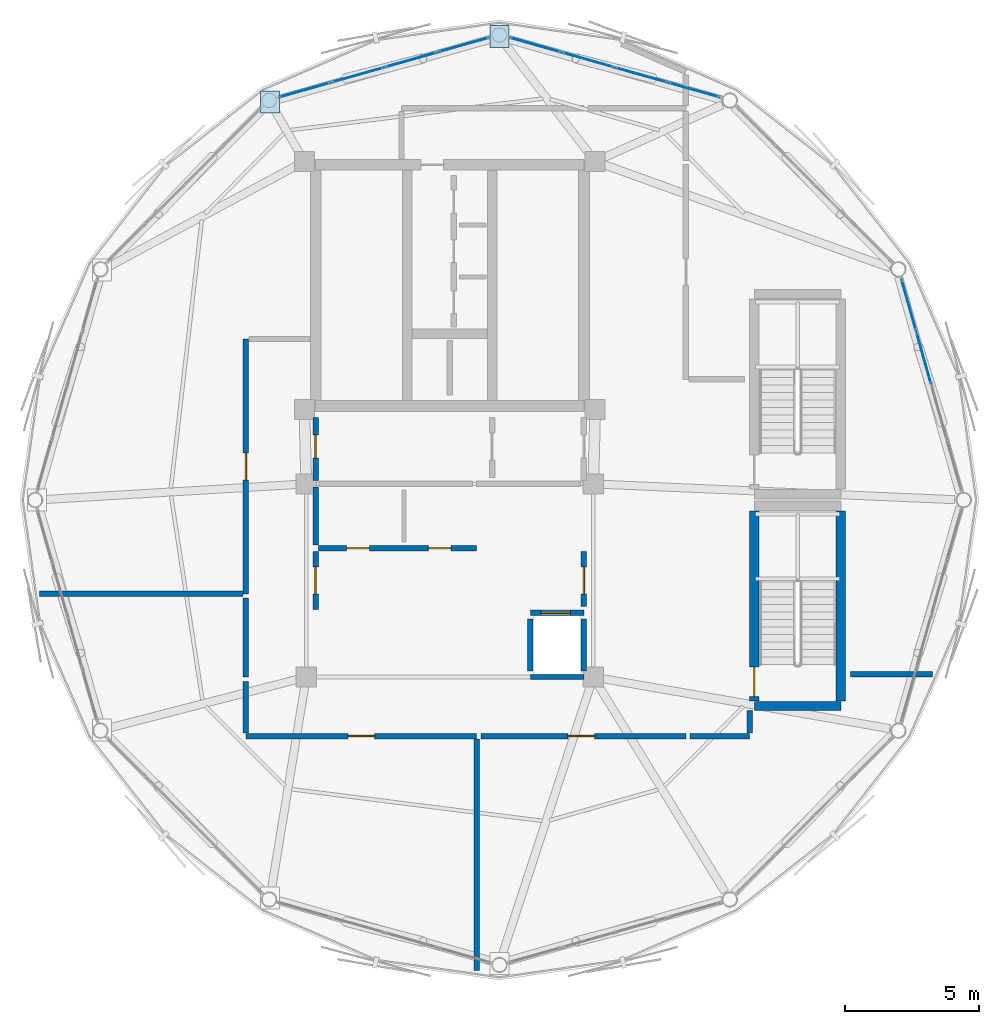
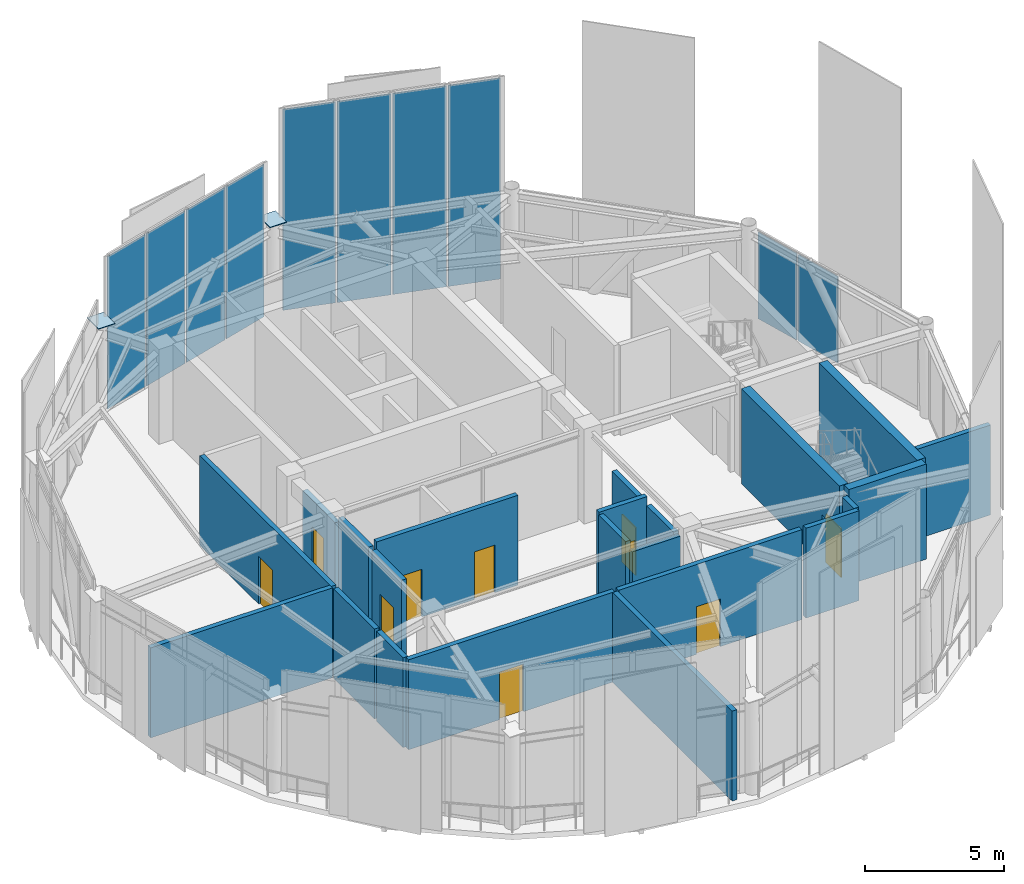
# One storey, part 15 of 20: 22 walls, 12 plates, 10 doors, 10 openings, 3 elements without a shape of their own.
"""IFC4 building model written with IfcOpenShell, lengths in metres."""

from ifc_helpers import new_model, si_unit, direction, frame, frame_2d, origin, origin_2d, place, context, subcontext, project, spatial, rectangle, extrude, source, transform, mapped, material, layer, layer_set, type_object, type_shapes, element, fill, aggregate, save


model = new_model("IFC4")

# Units and contexts
model_context = context("Model", 3, precision=1e-05, world=origin(), true_north=direction((0.0, 1.0)))
body_context = subcontext(model_context, "Body", "Model", "MODEL_VIEW")
ifc_project = project(units=[si_unit("LENGTHUNIT", "METRE"), si_unit("AREAUNIT", "SQUARE_METRE"), si_unit("VOLUMEUNIT", "CUBIC_METRE"), si_unit("PLANEANGLEUNIT", "RADIAN"), si_unit("MASSUNIT", "GRAM", prefix="KILO")], contexts=[model_context])

# Site, building, storey
site_placement = place(None, origin())
site = spatial("IfcSite", under=ifc_project, at=site_placement, CompositionType="ELEMENT")
building_placement = place(site_placement, origin())
building = spatial("IfcBuilding", under=site, at=building_placement, Name="Varnakorn Sky Granary", CompositionType="ELEMENT")
storey_placement = place(building_placement, frame((0.0, 0.0, 310.800048828125)))
storey = spatial("IfcBuildingStorey", under=building, at=storey_placement, Name="L79", CompositionType="ELEMENT", Elevation=310.800048828125)

# Plates
ifc_material_1 = material(Name="Steel S460M", Category="steel")
ifc_layer_1 = layer(ifc_material_1, 0.031982421875, Name="Steel S460M")
ifc_layer_set_1 = layer_set([ifc_layer_1], Name="Steel S460M")
plate_type_1 = type_object("IfcPlateType", Name="PL-NODE-KN8", PredefinedType="SHEET", material=ifc_layer_set_1)
for number, where, z_axis, x_axis, name in (
    (1, (4.85009765625, 17.27099609375, 4.1748046875), (0.0, 0.0, 1.0), (1.0, 0.0, 0.0), "Hollow Column Top Cap Plate KN8 L79-04"),
    (2, (-3.700439453125, 14.840087890625, 4.1748046875), (0.0, 0.0, 1.0), (1.0, 0.0, 0.0), "Hollow Column Top Cap Plate KN8 L79-05"),
):
    element("IfcPlate", number, at=place(storey_placement, frame(where, z_axis=z_axis, x_axis=x_axis)), inside=storey, type_object=plate_type_1, Name=name, PredefinedType="SHEET", context=body_context, shape_type="SweptSolid", body=[
        extrude(rectangle(XDim=0.699951171875, YDim=0.820068359375, at=origin_2d()), origin(), (0.0, 0.0, 1.0), 0.031982421875),
    ])

# Curtain wall, plates
ifc_material_2 = material(Name="Anodised Bronze Aluminium Alloy 6063-T6", Category="aluminium")
ifc_layer_2 = layer(ifc_material_2, 0.22998046875, Name="Anodised Bronze Aluminium Alloy 6063-T6")
ifc_layer_set_2 = layer_set([ifc_layer_2], Name="Anodised Bronze Aluminium Alloy 6063-T6")
curtain_wall_type = type_object("IfcCurtainWallType", Name="CW-LNT-1", PredefinedType="USERDEFINED", material=ifc_layer_set_2)
curtain_wall_1_placement = place(storey_placement, origin())
curtain_wall_1 = element("IfcCurtainWall", 3, at=curtain_wall_1_placement, inside=storey, type_object=curtain_wall_type, Name="Unitised Curtain Wall CW7 CW-L79-B01", ObjectType="CURTAIN WALL", PredefinedType="USERDEFINED")
ifc_material_3 = material(Name="Opaque Insulated Aluminium Shadow-Box Unit", Category="aluminium")
ifc_layer_3 = layer(ifc_material_3, 0.035888671875, Name="Opaque Insulated Aluminium Shadow-Box Unit")
ifc_layer_set_3 = layer_set([ifc_layer_3], Name="Opaque Insulated Aluminium Shadow-Box Unit")
plate_type_2 = type_object("IfcPlateType", Name="CW-LNT-1-PNL", PredefinedType="CURTAIN_PANEL")
shared_shape_1 = source(origin(), body_context, "Body", "SweptSolid", [
    extrude(rectangle(XDim=1.990966796875, YDim=0.035888671875, at=origin_2d()), origin(), (0.0, 0.0, 1.0), 3.81005859375),
])
plate_1_placement = place(storey_placement, frame((20.670654296875, 5.2958984375, 0.074951171875), z_axis=(0.0, 0.0, 1.0), x_axis=(0.272577181537, -0.962133920047, 0.0)))
plate_1 = element("IfcPlate", 4, at=plate_1_placement, type_object=plate_type_2, material=ifc_layer_set_3, Name="CW7 opaque insulated shadow-box unit 2.1", PredefinedType="CURTAIN_PANEL", context=body_context, shape_type="MappedRepresentation", body=[
    mapped(shared_shape_1, transform((0.0, 0.0, 0.0), x_axis=(1.0, 0.0, 0.0), y_axis=(0.0, 1.0, 0.0), z_axis=(0.0, 0.0, 1.0), scale=1.0)),
])
ifc_material_4 = material(Name="Low-E Tinted Laminated Glass", Category="glass")
ifc_layer_4 = layer(ifc_material_4, 0.035888671875, Name="Low-E Tinted Laminated Glass")
ifc_layer_set_4 = layer_set([ifc_layer_4], Name="Low-E Tinted Laminated Glass")
shared_shape_2 = source(origin(), body_context, "Body", "SweptSolid", [
    extrude(rectangle(XDim=1.953369140625, YDim=0.035888671875, at=origin_2d()), origin(), (0.0, 0.0, 1.0), 3.81005859375),
])
plate_2_placement = place(storey_placement, frame((20.11279296875, 7.265625, 0.074951171875), z_axis=(0.0, 0.0, 1.0), x_axis=(0.272577181537, -0.962133920047, 0.0)))
plate_2 = element("IfcPlate", 5, at=plate_2_placement, type_object=plate_type_2, material=ifc_layer_set_4, Name="CW7 vision glazing unit 1.1", PredefinedType="CURTAIN_PANEL", context=body_context, shape_type="MappedRepresentation", body=[
    mapped(shared_shape_2, transform((0.0, 0.0, 0.0), x_axis=(1.0, 0.0, 0.0), y_axis=(0.0, 1.0, 0.0), z_axis=(0.0, 0.0, 1.0), scale=1.0)),
])
aggregate(curtain_wall_1, [plate_2, plate_1])

curtain_wall_2_placement = place(storey_placement, origin())
curtain_wall_2 = element("IfcCurtainWall", 6, at=curtain_wall_2_placement, inside=storey, type_object=curtain_wall_type, Name="Unitised Curtain Wall CW7 CW-L79-B03", ObjectType="CURTAIN WALL", PredefinedType="USERDEFINED")
shared_shape_3 = source(origin(), body_context, "Body", "SweptSolid", [
    extrude(rectangle(XDim=1.950927734375, YDim=0.035888671875, at=origin_2d()), origin(), (0.0, 0.0, 1.0), 8.85693359375),
])
plate_3_placement = place(storey_placement, frame((6.18701171875, 16.96337890625, 0.074951171875), z_axis=(0.0, 0.0, 1.0), x_axis=(0.961955260491, -0.273207021896, 0.0)))
plate_3 = element("IfcPlate", 7, at=plate_3_placement, type_object=plate_type_2, material=ifc_layer_set_3, Name="CW7 opaque insulated shadow-box unit 1.1", PredefinedType="CURTAIN_PANEL", context=body_context, shape_type="MappedRepresentation", body=[
    mapped(shared_shape_3, transform((0.0, 0.0, 0.0), x_axis=(1.0, 0.0, 0.0), y_axis=(0.0, 1.0, 0.0), z_axis=(0.0, 0.0, 1.0), scale=1.0)),
])
plate_4_placement = place(storey_placement, frame((12.10595703125, 15.2822265625, 0.074951171875), z_axis=(0.0, 0.0, 1.0), x_axis=(0.961955260491, -0.273207021896, 0.0)))
plate_4 = element("IfcPlate", 8, at=plate_4_placement, type_object=plate_type_2, material=ifc_layer_set_4, Name="CW7 vision glazing unit 4.1", PredefinedType="CURTAIN_PANEL", context=body_context, shape_type="MappedRepresentation", body=[
    mapped(shared_shape_3, transform((0.0, 0.0, 0.0), x_axis=(1.0, 0.0, 0.0), y_axis=(0.0, 1.0, 0.0), z_axis=(0.0, 0.0, 1.0), scale=1.0)),
])
shared_shape_4 = source(origin(), body_context, "Body", "SweptSolid", [
    extrude(rectangle(XDim=1.988525390625, YDim=0.035888671875, at=origin_2d()), origin(), (0.0, 0.0, 1.0), 8.85693359375),
])
plate_5_placement = place(storey_placement, frame((8.154052734375, 16.40478515625, 0.074951171875), z_axis=(0.0, 0.0, 1.0), x_axis=(0.961955260491, -0.273207021896, 0.0)))
plate_5 = element("IfcPlate", 9, at=plate_5_placement, type_object=plate_type_2, material=ifc_layer_set_3, Name="CW7 opaque insulated shadow-box unit 2.1", PredefinedType="CURTAIN_PANEL", context=body_context, shape_type="MappedRepresentation", body=[
    mapped(shared_shape_4, transform((0.0, 0.0, 0.0), x_axis=(1.0, 0.0, 0.0), y_axis=(0.0, 1.0, 0.0), z_axis=(0.0, 0.0, 1.0), scale=1.0)),
])
plate_6_placement = place(storey_placement, frame((10.138916015625, 15.8408203125, 0.074951171875), z_axis=(0.0, 0.0, 1.0), x_axis=(0.961955260491, -0.273207021896, 0.0)))
plate_6 = element("IfcPlate", 10, at=plate_6_placement, type_object=plate_type_2, material=ifc_layer_set_3, Name="CW7 opaque insulated shadow-box unit 3.1", PredefinedType="CURTAIN_PANEL", context=body_context, shape_type="MappedRepresentation", body=[
    mapped(shared_shape_4, transform((0.0, 0.0, 0.0), x_axis=(1.0, 0.0, 0.0), y_axis=(0.0, 1.0, 0.0), z_axis=(0.0, 0.0, 1.0), scale=1.0)),
])
aggregate(curtain_wall_2, [plate_3, plate_5, plate_6, plate_4])

curtain_wall_3_placement = place(storey_placement, origin())
curtain_wall_3 = element("IfcCurtainWall", 11, at=curtain_wall_3_placement, inside=storey, type_object=curtain_wall_type, Name="Unitised Curtain Wall CW7 CW-L79-B04", ObjectType="CURTAIN WALL", PredefinedType="USERDEFINED")
shared_shape_5 = source(origin(), body_context, "Body", "SweptSolid", [
    extrude(rectangle(XDim=1.950927734375, YDim=0.035888671875, at=origin_2d()), origin(), (0.0, 0.0, 1.0), 6.71435546875),
])
plate_7_placement = place(storey_placement, frame((-2.406005859375, 15.2822265625, 0.074951171875), z_axis=(0.0, 0.0, 1.0), x_axis=(0.961955260491, 0.273207021896, 0.0)))
plate_7 = element("IfcPlate", 12, at=plate_7_placement, type_object=plate_type_2, material=ifc_layer_set_4, Name="CW7 vision glazing unit 1.1", PredefinedType="CURTAIN_PANEL", context=body_context, shape_type="MappedRepresentation", body=[
    mapped(shared_shape_5, transform((0.0, 0.0, 0.0), x_axis=(1.0, 0.0, 0.0), y_axis=(0.0, 1.0, 0.0), z_axis=(0.0, 0.0, 1.0), scale=1.0)),
])
plate_8_placement = place(storey_placement, frame((3.512939453125, 16.96337890625, 0.074951171875), z_axis=(0.0, 0.0, 1.0), x_axis=(0.961955260491, 0.273207021896, 0.0)))
plate_8 = element("IfcPlate", 13, at=plate_8_placement, type_object=plate_type_2, material=ifc_layer_set_3, Name="CW7 opaque insulated shadow-box unit 4.1", PredefinedType="CURTAIN_PANEL", context=body_context, shape_type="MappedRepresentation", body=[
    mapped(shared_shape_5, transform((0.0, 0.0, 0.0), x_axis=(1.0, 0.0, 0.0), y_axis=(0.0, 1.0, 0.0), z_axis=(0.0, 0.0, 1.0), scale=1.0)),
])
shared_shape_6 = source(origin(), body_context, "Body", "SweptSolid", [
    extrude(rectangle(XDim=1.988525390625, YDim=0.035888671875, at=origin_2d()), origin(), (0.0, 0.0, 1.0), 6.71435546875),
])
type_shapes(plate_type_2, [shared_shape_1, shared_shape_2, shared_shape_3, shared_shape_4, shared_shape_5, shared_shape_6])
plate_9_placement = place(storey_placement, frame((-0.43896484375, 15.8408203125, 0.074951171875), z_axis=(0.0, 0.0, 1.0), x_axis=(0.961955260491, 0.273207021896, 0.0)))
plate_9 = element("IfcPlate", 14, at=plate_9_placement, type_object=plate_type_2, material=ifc_layer_set_3, Name="CW7 opaque insulated shadow-box unit 2.1", PredefinedType="CURTAIN_PANEL", context=body_context, shape_type="MappedRepresentation", body=[
    mapped(shared_shape_6, transform((0.0, 0.0, 0.0), x_axis=(1.0, 0.0, 0.0), y_axis=(0.0, 1.0, 0.0), z_axis=(0.0, 0.0, 1.0), scale=1.0)),
])
plate_10_placement = place(storey_placement, frame((1.5458984375, 16.40478515625, 0.074951171875), z_axis=(0.0, 0.0, 1.0), x_axis=(0.961955260491, 0.273207021896, 0.0)))
plate_10 = element("IfcPlate", 15, at=plate_10_placement, type_object=plate_type_2, material=ifc_layer_set_3, Name="CW7 opaque insulated shadow-box unit 3.1", PredefinedType="CURTAIN_PANEL", context=body_context, shape_type="MappedRepresentation", body=[
    mapped(shared_shape_6, transform((0.0, 0.0, 0.0), x_axis=(1.0, 0.0, 0.0), y_axis=(0.0, 1.0, 0.0), z_axis=(0.0, 0.0, 1.0), scale=1.0)),
])
aggregate(curtain_wall_3, [plate_7, plate_9, plate_10, plate_8])

# Wall
ifc_material_5 = material(Name="Concrete C50/60", Category="concrete")
ifc_layer_5 = layer(ifc_material_5, 0.35009765625, Name="Concrete C50/60")
ifc_layer_set_5 = layer_set([ifc_layer_5], Name="Concrete C50/60")
wall_type_1 = type_object("IfcWallType", Name="WT-CW-INT-350", PredefinedType="SHEAR", material=ifc_layer_set_5)
wall_1_placement = place(storey_placement, frame((14.35009765625, -7.679931640625, 0.0), z_axis=(0.0, 0.0, 1.0), x_axis=(1.0, 0.0, 0.0)))
element("IfcWall", 16, at=wall_1_placement, inside=storey, type_object=wall_type_1, Name="Crown Stair STC2 South Wall L79", PredefinedType="SHEAR", context=body_context, shape_type="SweptSolid", body=[
    extrude(rectangle(XDim=3.22998046875, YDim=0.35009765625, at=frame_2d((1.614990234375, 0.0))), origin(), (0.0, 0.0, 1.0), 4.19189453125),
])

# Wall, opening, door
wall_2_placement = place(storey_placement, frame((14.35009765625, -7.489990234375, 0.0), z_axis=(0.0, 0.0, 1.0), x_axis=(0.0, 1.0, 0.0)))
wall_2 = element("IfcWall", 17, at=wall_2_placement, inside=storey, type_object=wall_type_1, Name="Crown Stair STC2 West Wall L79", PredefinedType="SHEAR", context=body_context, shape_type="SweptSolid", body=[
    extrude(rectangle(XDim=7.080078125, YDim=0.35009765625, at=frame_2d((3.5400390625, 0.0))), origin(), (0.0, 0.0, 1.0), 4.19189453125),
])
opening_1_placement = place(wall_2_placement, frame((0.159912109375, 0.0, 0.0)))
opening_1 = element("IfcOpeningElement", 18, at=opening_1_placement, cuts=wall_2, Name="Opening FD-90", PredefinedType="OPENING", context=body_context, shape_type="SweptSolid", body=[
    extrude(rectangle(XDim=1.10009765625, YDim=2.14990234375, at=frame_2d((0.550048828125, 1.074951171875))), frame((0.0, 0.18505859375, 0.0), z_axis=(0.0, -1.0, 0.0), x_axis=(1.0, 0.0, 0.0)), (0.0, 0.0, 1.0), 0.3701171875),
])
ifc_material_6 = material(Name="Galvanised Painted Steel Leaf", Category="steel")
door_type_1 = type_object("IfcDoorType", Name="DR-STAIR-1100", OperationType="NOTDEFINED", PredefinedType="DOOR", material=ifc_material_6)
door_1_placement = place(opening_1_placement, origin())
door_1 = element("IfcDoor", 19, at=door_1_placement, inside=storey, type_object=door_type_1, Name="Crown Stair STC2 Protected Fire Door L79", OperationType="SINGLE_SWING_RIGHT", OverallHeight=2.14990234375, OverallWidth=1.10009765625, PredefinedType="DOOR", context=body_context, shape_type="SweptSolid", body=[
    extrude(rectangle(XDim=1.10009765625, YDim=2.14990234375, at=frame_2d((0.550048828125, 1.074951171875))), frame((0.0, 0.02490234375, 0.0), z_axis=(0.0, -1.0, 0.0), x_axis=(1.0, 0.0, 0.0)), (0.0, 0.0, 1.0), 0.050048828125),
])
fill(opening_1, door_1)

# Wall
wall_3_placement = place(storey_placement, frame((17.580078125, -7.489990234375, 0.0), z_axis=(0.0, 0.0, 1.0), x_axis=(0.0, 1.0, 0.0)))
element("IfcWall", 20, at=wall_3_placement, inside=storey, type_object=wall_type_1, Name="Crown Stair STC2 East Wall L79", PredefinedType="SHEAR", context=body_context, shape_type="SweptSolid", body=[
    extrude(rectangle(XDim=7.080078125, YDim=0.35009765625, at=frame_2d((3.5400390625, 0.0))), origin(), (0.0, 0.0, 1.0), 4.19189453125),
])

# Wall, opening, door
ifc_material_7 = material(Name="Autoclaved Aerated Concrete Blockwork", Category="masonry")
ifc_layer_6 = layer(ifc_material_7, 0.199951171875, Name="Autoclaved Aerated Concrete Blockwork")
ifc_layer_set_6 = layer_set([ifc_layer_6], Name="Autoclaved Aerated Concrete Blockwork")
wall_type_2 = type_object("IfcWallType", Name="WT-FIRE-200", PredefinedType="MOVABLE", material=ifc_layer_set_6)
wall_4_placement = place(storey_placement, frame((-2.0, 0.719970703125, 0.0), z_axis=(0.0, 0.0, 1.0), x_axis=(0.0, 1.0, 0.0)))
wall_4 = element("IfcWall", 21, at=wall_4_placement, inside=storey, type_object=wall_type_2, Name="Interior Partition Wall L79-009", PredefinedType="MOVABLE", context=body_context, shape_type="SweptSolid", body=[
    extrude(rectangle(XDim=2.35009765625, YDim=0.199951171875, at=frame_2d((1.175048828125, 0.0))), origin(), (0.0, 0.0, 1.0), 3.2919921875),
])
opening_2_placement = place(wall_4_placement, frame((0.844970703125, 0.0, 0.0)))
opening_2 = element("IfcOpeningElement", 22, at=opening_2_placement, cuts=wall_4, Name="Opening FD-60N", PredefinedType="OPENING", context=body_context, shape_type="SweptSolid", body=[
    extrude(rectangle(XDim=0.85009765625, YDim=2.10009765625, at=frame_2d((0.425048828125, 1.050048828125))), frame((0.0, 0.10986328125, 0.0), z_axis=(0.0, -1.0, 0.0), x_axis=(1.0, 0.0, 0.0)), (0.0, 0.0, 1.0), 0.219970703125),
])
ifc_material_8 = material(Name="Acoustic Timber Fire Leaf", Category="wood")
door_type_2 = type_object("IfcDoorType", Name="DR-FD60-850", OperationType="NOTDEFINED", PredefinedType="DOOR", material=ifc_material_8)
door_2_placement = place(opening_2_placement, origin())
door_2 = element("IfcDoor", 23, at=door_2_placement, inside=storey, type_object=door_type_2, Name="Interior Door L79-009-1", OperationType="SINGLE_SWING_RIGHT", OverallHeight=2.10009765625, OverallWidth=0.85009765625, PredefinedType="DOOR", context=body_context, shape_type="SweptSolid", body=[
    extrude(rectangle(XDim=0.85009765625, YDim=2.10009765625, at=frame_2d((0.425048828125, 1.050048828125))), frame((0.0, 0.02490234375, 0.0), z_axis=(0.0, -1.0, 0.0), x_axis=(1.0, 0.0, 0.0)), (0.0, 0.0, 1.0), 0.050048828125),
])
fill(opening_2, door_2)

wall_5_placement = place(storey_placement, frame((-2.0, -4.080078125, 0.0), z_axis=(0.0, 0.0, 1.0), x_axis=(0.0, 1.0, 0.0)))
wall_5 = element("IfcWall", 24, at=wall_5_placement, inside=storey, type_object=wall_type_2, Name="Interior Partition Wall L79-011", PredefinedType="MOVABLE", context=body_context, shape_type="SweptSolid", body=[
    extrude(rectangle(XDim=2.16015625, YDim=0.199951171875, at=frame_2d((1.080078125, 0.0))), origin(), (0.0, 0.0, 1.0), 3.671875),
])
opening_3_placement = place(wall_5_placement, frame((0.580078125, 0.0, 0.0)))
opening_3 = element("IfcOpeningElement", 25, at=opening_3_placement, cuts=wall_5, Name="Opening FD-60", PredefinedType="OPENING", context=body_context, shape_type="SweptSolid", body=[
    extrude(rectangle(XDim=1.0, YDim=2.10009765625, at=frame_2d((0.5, 1.050048828125))), frame((0.0, 0.10986328125, 0.0), z_axis=(0.0, -1.0, 0.0), x_axis=(1.0, 0.0, 0.0)), (0.0, 0.0, 1.0), 0.219970703125),
])
door_type_3 = type_object("IfcDoorType", Name="DR-FD60-1000", OperationType="NOTDEFINED", PredefinedType="DOOR", material=ifc_material_8)
door_3_placement = place(opening_3_placement, origin())
door_3 = element("IfcDoor", 26, at=door_3_placement, inside=storey, type_object=door_type_3, Name="Interior Door L79-011-1", OperationType="SINGLE_SWING_RIGHT", OverallHeight=2.10009765625, OverallWidth=1.0, PredefinedType="DOOR", context=body_context, shape_type="SweptSolid", body=[
    extrude(rectangle(XDim=1.0, YDim=2.10009765625, at=frame_2d((0.5, 1.050048828125))), frame((0.0, 0.02490234375, 0.0), z_axis=(0.0, -1.0, 0.0), x_axis=(1.0, 0.0, 0.0)), (0.0, 0.0, 1.0), 0.050048828125),
])
fill(opening_3, door_3)

wall_6_placement = place(storey_placement, frame((8.0, -3.969970703125, 0.0), z_axis=(0.0, 0.0, 1.0), x_axis=(0.0, 1.0, 0.0)))
wall_6 = element("IfcWall", 27, at=wall_6_placement, inside=storey, type_object=wall_type_2, Name="Interior Partition Wall L79-012", PredefinedType="MOVABLE", context=body_context, shape_type="SweptSolid", body=[
    extrude(rectangle(XDim=2.050048828125, YDim=0.199951171875, at=frame_2d((1.02490234375, 0.0))), origin(), (0.0, 0.0, 1.0), 3.671875),
])
opening_4_placement = place(wall_6_placement, frame((0.469970703125, 0.0, 0.0)))
opening_4 = element("IfcOpeningElement", 28, at=opening_4_placement, cuts=wall_6, Name="Opening FD-60", PredefinedType="OPENING", context=body_context, shape_type="SweptSolid", body=[
    extrude(rectangle(XDim=1.0, YDim=2.10009765625, at=frame_2d((0.5, 1.050048828125))), frame((0.0, 0.10986328125, 0.0), z_axis=(0.0, -1.0, 0.0), x_axis=(1.0, 0.0, 0.0)), (0.0, 0.0, 1.0), 0.219970703125),
])
door_4_placement = place(opening_4_placement, origin())
door_4 = element("IfcDoor", 29, at=door_4_placement, inside=storey, type_object=door_type_3, Name="Interior Door L79-012-1", OperationType="SINGLE_SWING_LEFT", OverallHeight=2.10009765625, OverallWidth=1.0, PredefinedType="DOOR", context=body_context, shape_type="SweptSolid", body=[
    extrude(rectangle(XDim=1.0, YDim=2.10009765625, at=frame_2d((0.5, 1.050048828125))), frame((0.0, 0.02490234375, 0.0), z_axis=(0.0, -1.0, 0.0), x_axis=(1.0, 0.0, 0.0)), (0.0, 0.0, 1.0), 0.050048828125),
])
fill(opening_4, door_4)

# Wall, openings, doors
wall_7_placement = place(storey_placement, frame((-1.889892578125, -1.800048828125, 0.0), z_axis=(0.0, 0.0, 1.0), x_axis=(1.0, 0.0, 0.0)))
wall_7 = element("IfcWall", 30, at=wall_7_placement, inside=storey, type_object=wall_type_2, Name="Interior Partition Wall L79-013", PredefinedType="MOVABLE", context=body_context, shape_type="SweptSolid", body=[
    extrude(rectangle(XDim=5.889892578125, YDim=0.199951171875, at=frame_2d((2.94482421875, 0.0))), origin(), (0.0, 0.0, 1.0), 3.9599609375),
])
opening_5_placement = place(wall_7_placement, frame((1.0400390625, 0.0, 0.0)))
opening_5 = element("IfcOpeningElement", 31, at=opening_5_placement, cuts=wall_7, Name="Opening FD-60N", PredefinedType="OPENING", context=body_context, shape_type="SweptSolid", body=[
    extrude(rectangle(XDim=0.85009765625, YDim=2.10009765625, at=frame_2d((0.425048828125, 1.050048828125))), frame((0.0, 0.10986328125, 0.0), z_axis=(0.0, -1.0, 0.0), x_axis=(1.0, 0.0, 0.0)), (0.0, 0.0, 1.0), 0.219970703125),
])
opening_6_placement = place(wall_7_placement, frame((4.090087890625, 0.0, 0.0)))
opening_6 = element("IfcOpeningElement", 32, at=opening_6_placement, cuts=wall_7, Name="Opening FD-60N", PredefinedType="OPENING", context=body_context, shape_type="SweptSolid", body=[
    extrude(rectangle(XDim=0.85009765625, YDim=2.10009765625, at=frame_2d((0.425048828125, 1.050048828125))), frame((0.0, 0.10986328125, 0.0), z_axis=(0.0, -1.0, 0.0), x_axis=(1.0, 0.0, 0.0)), (0.0, 0.0, 1.0), 0.219970703125),
])
door_5_placement = place(opening_5_placement, origin())
door_5 = element("IfcDoor", 33, at=door_5_placement, inside=storey, type_object=door_type_2, Name="Interior Door L79-013-1", OperationType="SINGLE_SWING_RIGHT", OverallHeight=2.10009765625, OverallWidth=0.85009765625, PredefinedType="DOOR", context=body_context, shape_type="SweptSolid", body=[
    extrude(rectangle(XDim=0.85009765625, YDim=2.10009765625, at=frame_2d((0.425048828125, 1.050048828125))), frame((0.0, 0.02490234375, 0.0), z_axis=(0.0, -1.0, 0.0), x_axis=(1.0, 0.0, 0.0)), (0.0, 0.0, 1.0), 0.050048828125),
])
fill(opening_5, door_5)
door_6_placement = place(opening_6_placement, origin())
door_6 = element("IfcDoor", 34, at=door_6_placement, inside=storey, type_object=door_type_2, Name="Interior Door L79-013-2", OperationType="SINGLE_SWING_LEFT", OverallHeight=2.10009765625, OverallWidth=0.85009765625, PredefinedType="DOOR", context=body_context, shape_type="SweptSolid", body=[
    extrude(rectangle(XDim=0.85009765625, YDim=2.10009765625, at=frame_2d((0.425048828125, 1.050048828125))), frame((0.0, 0.02490234375, 0.0), z_axis=(0.0, -1.0, 0.0), x_axis=(1.0, 0.0, 0.0)), (0.0, 0.0, 1.0), 0.050048828125),
])
fill(opening_6, door_6)

# Wall, opening, door
wall_8_placement = place(storey_placement, frame((-4.60009765625, 6.0, 0.0), z_axis=(0.0, 0.0, 1.0), x_axis=(0.0, -1.0, 0.0)))
wall_8 = element("IfcWall", 35, at=wall_8_placement, inside=storey, type_object=wall_type_2, Name="Interior Partition Wall L79-014", PredefinedType="MOVABLE", context=body_context, shape_type="SweptSolid", body=[
    extrude(rectangle(XDim=9.5, YDim=0.199951171875, at=frame_2d((4.75, 0.0))), origin(), (0.0, 0.0, 1.0), 3.9599609375),
])
opening_7_placement = place(wall_8_placement, frame((4.25, 0.0, 0.0)))
opening_7 = element("IfcOpeningElement", 36, at=opening_7_placement, cuts=wall_8, Name="Opening FD-60", PredefinedType="OPENING", context=body_context, shape_type="SweptSolid", body=[
    extrude(rectangle(XDim=1.0, YDim=2.10009765625, at=frame_2d((0.5, 1.050048828125))), frame((0.0, 0.10986328125, 0.0), z_axis=(0.0, -1.0, 0.0), x_axis=(1.0, 0.0, 0.0)), (0.0, 0.0, 1.0), 0.219970703125),
])
door_7_placement = place(opening_7_placement, origin())
door_7 = element("IfcDoor", 37, at=door_7_placement, inside=storey, type_object=door_type_3, Name="Interior Door L79-014-1", OperationType="SINGLE_SWING_RIGHT", OverallHeight=2.10009765625, OverallWidth=1.0, PredefinedType="DOOR", context=body_context, shape_type="SweptSolid", body=[
    extrude(rectangle(XDim=1.0, YDim=2.10009765625, at=frame_2d((0.5, 1.050048828125))), frame((0.0, 0.02490234375, 0.0), z_axis=(0.0, -1.0, 0.0), x_axis=(1.0, 0.0, 0.0)), (0.0, 0.0, 1.0), 0.050048828125),
])
fill(opening_7, door_7)

wall_9_placement = place(storey_placement, frame((-4.60009765625, -8.800048828125, 0.0), z_axis=(0.0, 0.0, 1.0), x_axis=(1.0, 0.0, 0.0)))
wall_9 = element("IfcWall", 38, at=wall_9_placement, inside=storey, type_object=wall_type_2, Name="Interior Partition Wall L79-015", PredefinedType="MOVABLE", context=body_context, shape_type="SweptSolid", body=[
    extrude(rectangle(XDim=8.60009765625, YDim=0.199951171875, at=frame_2d((4.300048828125, 0.0))), origin(), (0.0, 0.0, 1.0), 3.9599609375),
])
opening_8_placement = place(wall_9_placement, frame((3.800048828125, 0.0, 0.0)))
opening_8 = element("IfcOpeningElement", 39, at=opening_8_placement, cuts=wall_9, Name="Opening FD-60", PredefinedType="OPENING", context=body_context, shape_type="SweptSolid", body=[
    extrude(rectangle(XDim=1.0, YDim=2.10009765625, at=frame_2d((0.5, 1.050048828125))), frame((0.0, 0.10986328125, 0.0), z_axis=(0.0, -1.0, 0.0), x_axis=(1.0, 0.0, 0.0)), (0.0, 0.0, 1.0), 0.219970703125),
])
door_8_placement = place(opening_8_placement, origin())
door_8 = element("IfcDoor", 40, at=door_8_placement, inside=storey, type_object=door_type_3, Name="Interior Door L79-015-1", OperationType="SINGLE_SWING_LEFT", OverallHeight=2.10009765625, OverallWidth=1.0, PredefinedType="DOOR", context=body_context, shape_type="SweptSolid", body=[
    extrude(rectangle(XDim=1.0, YDim=2.10009765625, at=frame_2d((0.5, 1.050048828125))), frame((0.0, 0.02490234375, 0.0), z_axis=(0.0, -1.0, 0.0), x_axis=(1.0, 0.0, 0.0)), (0.0, 0.0, 1.0), 0.050048828125),
])
fill(opening_8, door_8)

wall_10_placement = place(storey_placement, frame((4.159912109375, -8.800048828125, 0.0), z_axis=(0.0, 0.0, 1.0), x_axis=(1.0, 0.0, 0.0)))
wall_10 = element("IfcWall", 41, at=wall_10_placement, inside=storey, type_object=wall_type_2, Name="Interior Partition Wall L79-016", PredefinedType="MOVABLE", context=body_context, shape_type="SweptSolid", body=[
    extrude(rectangle(XDim=7.64013671875, YDim=0.199951171875, at=frame_2d((3.820068359375, 0.0))), origin(), (0.0, 0.0, 1.0), 3.9599609375),
])
opening_9_placement = place(wall_10_placement, frame((3.239990234375, 0.0, 0.0)))
opening_9 = element("IfcOpeningElement", 42, at=opening_9_placement, cuts=wall_10, Name="Opening FD-60", PredefinedType="OPENING", context=body_context, shape_type="SweptSolid", body=[
    extrude(rectangle(XDim=1.0, YDim=2.10009765625, at=frame_2d((0.5, 1.050048828125))), frame((0.0, 0.10986328125, 0.0), z_axis=(0.0, -1.0, 0.0), x_axis=(1.0, 0.0, 0.0)), (0.0, 0.0, 1.0), 0.219970703125),
])
door_9_placement = place(opening_9_placement, origin())
door_9 = element("IfcDoor", 43, at=door_9_placement, inside=storey, type_object=door_type_3, Name="Interior Door L79-016-1", OperationType="SINGLE_SWING_RIGHT", OverallHeight=2.10009765625, OverallWidth=1.0, PredefinedType="DOOR", context=body_context, shape_type="SweptSolid", body=[
    extrude(rectangle(XDim=1.0, YDim=2.10009765625, at=frame_2d((0.5, 1.050048828125))), frame((0.0, 0.02490234375, 0.0), z_axis=(0.0, -1.0, 0.0), x_axis=(1.0, 0.0, 0.0)), (0.0, 0.0, 1.0), 0.050048828125),
])
fill(opening_9, door_9)

# Walls
wall_11_placement = place(storey_placement, frame((-2.0, -1.679931640625, 0.0), z_axis=(0.0, 0.0, 1.0), x_axis=(0.0, 1.0, 0.0)))
element("IfcWall", 44, at=wall_11_placement, inside=storey, type_object=wall_type_2, Name="Interior Partition Wall L79-022", PredefinedType="MOVABLE", context=body_context, shape_type="SweptSolid", body=[
    extrude(rectangle(XDim=2.159912109375, YDim=0.199951171875, at=frame_2d((1.080078125, 0.0))), origin(), (0.0, 0.0, 1.0), 3.671875),
])
wall_12_placement = place(storey_placement, frame((-4.60009765625, -3.659912109375, 0.0), z_axis=(0.0, 0.0, 1.0), x_axis=(0.0, -1.0, 0.0)))
element("IfcWall", 45, at=wall_12_placement, inside=storey, type_object=wall_type_2, Name="Interior Partition Wall L79-027", PredefinedType="MOVABLE", context=body_context, shape_type="SweptSolid", body=[
    extrude(rectangle(XDim=2.940185546875, YDim=0.199951171875, at=frame_2d((1.47021484375, 0.0))), origin(), (0.0, 0.0, 1.0), 3.9599609375),
])
wall_13_placement = place(storey_placement, frame((-4.60009765625, -6.760009765625, 0.0), z_axis=(0.0, 0.0, 1.0), x_axis=(0.0, -1.0, 0.0)))
element("IfcWall", 46, at=wall_13_placement, inside=storey, type_object=wall_type_2, Name="Interior Partition Wall L79-028", PredefinedType="MOVABLE", context=body_context, shape_type="SweptSolid", body=[
    extrude(rectangle(XDim=1.929931640625, YDim=0.199951171875, at=frame_2d((0.96484375, 0.0))), origin(), (0.0, 0.0, 1.0), 3.9599609375),
])
wall_14_placement = place(storey_placement, frame((11.9599609375, -8.800048828125, 0.0), z_axis=(0.0, 0.0, 1.0), x_axis=(1.0, 0.0, 0.0)))
element("IfcWall", 47, at=wall_14_placement, inside=storey, type_object=wall_type_2, Name="Interior Partition Wall L79-029", PredefinedType="MOVABLE", context=body_context, shape_type="SweptSolid", body=[
    extrude(rectangle(XDim=2.219970703125, YDim=0.199951171875, at=frame_2d((1.10986328125, 0.0))), origin(), (0.0, 0.0, 1.0), 3.9599609375),
])
wall_15_placement = place(storey_placement, frame((14.179931640625, -8.68994140625, 0.0), z_axis=(0.0, 0.0, 1.0), x_axis=(0.0, 1.0, 0.0)))
element("IfcWall", 48, at=wall_15_placement, inside=storey, type_object=wall_type_2, Name="Interior Partition Wall L79-030", PredefinedType="MOVABLE", context=body_context, shape_type="SweptSolid", body=[
    extrude(rectangle(XDim=0.83984375, YDim=0.199951171875, at=frame_2d((0.419921875, 0.0))), origin(), (0.0, 0.0, 1.0), 3.9599609375),
])
wall_16_placement = place(storey_placement, frame((-4.7099609375, -3.5, 0.0), z_axis=(0.0, 0.0, 1.0), x_axis=(-1.0, 0.0, 0.0)))
element("IfcWall", 49, at=wall_16_placement, inside=storey, type_object=wall_type_2, Name="Interior Partition Wall L79-033", PredefinedType="MOVABLE", context=body_context, shape_type="SweptSolid", body=[
    extrude(rectangle(XDim=7.575927734375, YDim=0.199951171875, at=frame_2d((3.7880859375, 0.0))), origin(), (0.0, 0.0, 1.0), 3.9599609375),
])
wall_17_placement = place(storey_placement, frame((4.0, -8.909912109375, 0.0), z_axis=(0.0, 0.0, 1.0), x_axis=(0.0, -1.0, 0.0)))
element("IfcWall", 50, at=wall_17_placement, inside=storey, type_object=wall_type_2, Name="Interior Partition Wall L79-036", PredefinedType="MOVABLE", context=body_context, shape_type="SweptSolid", body=[
    extrude(rectangle(XDim=8.623046875, YDim=0.199951171875, at=frame_2d((4.3115234375, 0.0))), origin(), (0.0, 0.0, 1.0), 3.9599609375),
])
wall_18_placement = place(storey_placement, frame((17.93505859375, -6.5, 0.0), z_axis=(0.0, 0.0, 1.0), x_axis=(1.0, 0.0, 0.0)))
element("IfcWall", 51, at=wall_18_placement, inside=storey, type_object=wall_type_2, Name="Interior Partition Wall L79-037", PredefinedType="MOVABLE", context=body_context, shape_type="SweptSolid", body=[
    extrude(rectangle(XDim=3.052978515625, YDim=0.199951171875, at=frame_2d((1.5263671875, 0.0))), origin(), (0.0, 0.0, 1.0), 3.9599609375),
])

# Wall, opening, door
ifc_layer_7 = layer(ifc_material_7, 0.199951171875, Name="Autoclaved Aerated Concrete Blockwork")
ifc_layer_set_7 = layer_set([ifc_layer_7], Name="Autoclaved Aerated Concrete Blockwork")
wall_type_3 = type_object("IfcWallType", Name="WT-SHAFT-200", PredefinedType="SOLIDWALL", material=ifc_layer_set_7)
wall_19_placement = place(storey_placement, frame((6.0, -4.199951171875, 0.0), z_axis=(0.0, 0.0, 1.0), x_axis=(1.0, 0.0, 0.0)))
wall_19 = element("IfcWall", 52, at=wall_19_placement, inside=storey, type_object=wall_type_3, Name="Interior Partition Wall L79-003", PredefinedType="SOLIDWALL", context=body_context, shape_type="SweptSolid", body=[
    extrude(rectangle(XDim=2.0, YDim=0.199951171875, at=frame_2d((1.0, 0.0))), origin(), (0.0, 0.0, 1.0), 3.9599609375),
])
opening_10_placement = place(wall_19_placement, frame((0.39990234375, 0.0, 0.0)))
opening_10 = element("IfcOpeningElement", 53, at=opening_10_placement, cuts=wall_19, Name="Opening LD-01", PredefinedType="OPENING", context=body_context, shape_type="SweptSolid", body=[
    extrude(rectangle(XDim=1.10009765625, YDim=2.199951171875, at=frame_2d((0.550048828125, 1.10009765625))), frame((0.0, 0.10986328125, 0.0), z_axis=(0.0, -1.0, 0.0), x_axis=(1.0, 0.0, 0.0)), (0.0, 0.0, 1.0), 0.219970703125),
])
ifc_material_9 = material(Name="Brushed Bronze Stainless Steel", Category="steel")
door_type_4 = type_object("IfcDoorType", Name="DR-LD-1100", OperationType="DOUBLE_DOOR_SLIDING", PredefinedType="DOOR", material=ifc_material_9)
door_10_placement = place(opening_10_placement, origin())
door_10 = element("IfcDoor", 54, at=door_10_placement, inside=storey, type_object=door_type_4, Name="Passenger Lift PL-H2 Sliding Landing Door L79", OperationType="DOUBLE_DOOR_SLIDING", OverallHeight=2.199951171875, OverallWidth=1.10009765625, PredefinedType="DOOR", context=body_context, shape_type="SweptSolid", body=[
    extrude(rectangle(XDim=1.10009765625, YDim=2.199951171875, at=frame_2d((0.550048828125, 1.10009765625))), frame((0.0, 0.02490234375, 0.0), z_axis=(0.0, -1.0, 0.0), x_axis=(1.0, 0.0, 0.0)), (0.0, 0.0, 1.0), 0.050048828125),
])
fill(opening_10, door_10)

# Walls
wall_20_placement = place(storey_placement, frame((6.0, -6.60009765625, 0.0), z_axis=(0.0, 0.0, 1.0), x_axis=(1.0, 0.0, 0.0)))
element("IfcWall", 55, at=wall_20_placement, inside=storey, type_object=wall_type_3, Name="Interior Partition Wall L79-004", PredefinedType="SOLIDWALL", context=body_context, shape_type="SweptSolid", body=[
    extrude(rectangle(XDim=2.0, YDim=0.199951171875, at=frame_2d((1.0, 0.0))), origin(), (0.0, 0.0, 1.0), 3.671875),
])
wall_21_placement = place(storey_placement, frame((6.0, -6.3701171875, 0.0), z_axis=(0.0, 0.0, 1.0), x_axis=(0.0, 1.0, 0.0)))
element("IfcWall", 56, at=wall_21_placement, inside=storey, type_object=wall_type_3, Name="Interior Partition Wall L79-005", PredefinedType="SOLIDWALL", context=body_context, shape_type="SweptSolid", body=[
    extrude(rectangle(XDim=1.940185546875, YDim=0.199951171875, at=frame_2d((0.97021484375, 0.0))), origin(), (0.0, 0.0, 1.0), 3.9599609375),
])
wall_22_placement = place(storey_placement, frame((8.0, -6.3701171875, 0.0), z_axis=(0.0, 0.0, 1.0), x_axis=(0.0, 1.0, 0.0)))
element("IfcWall", 57, at=wall_22_placement, inside=storey, type_object=wall_type_3, Name="Interior Partition Wall L79-006", PredefinedType="SOLIDWALL", context=body_context, shape_type="SweptSolid", body=[
    extrude(rectangle(XDim=1.940185546875, YDim=0.199951171875, at=frame_2d((0.97021484375, 0.0))), origin(), (0.0, 0.0, 1.0), 3.671875),
])

save(model, "model.ifc")
